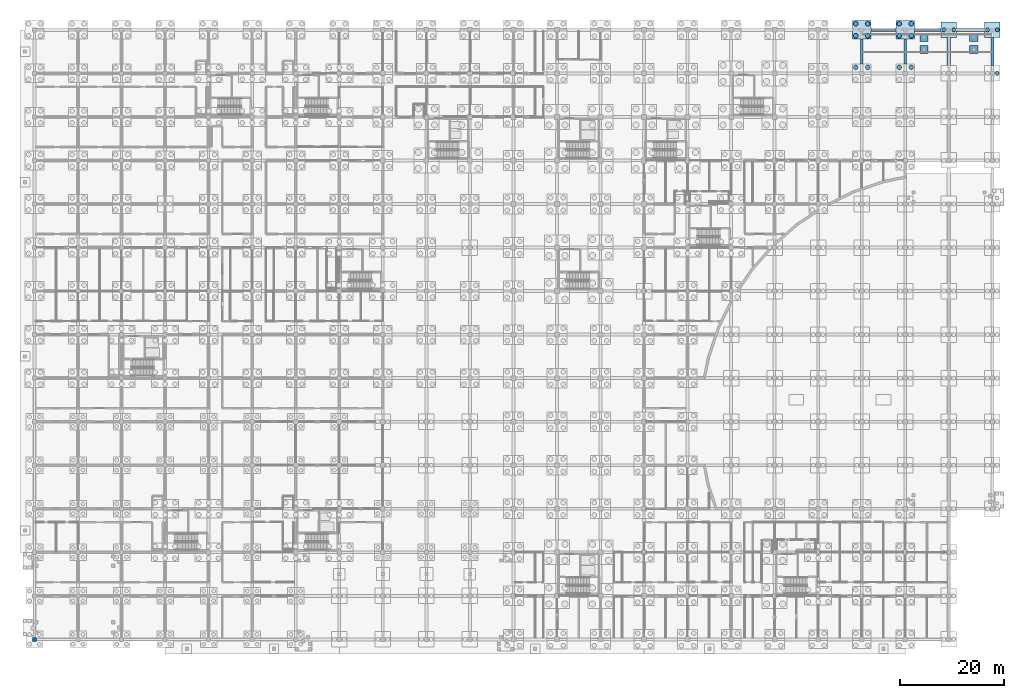
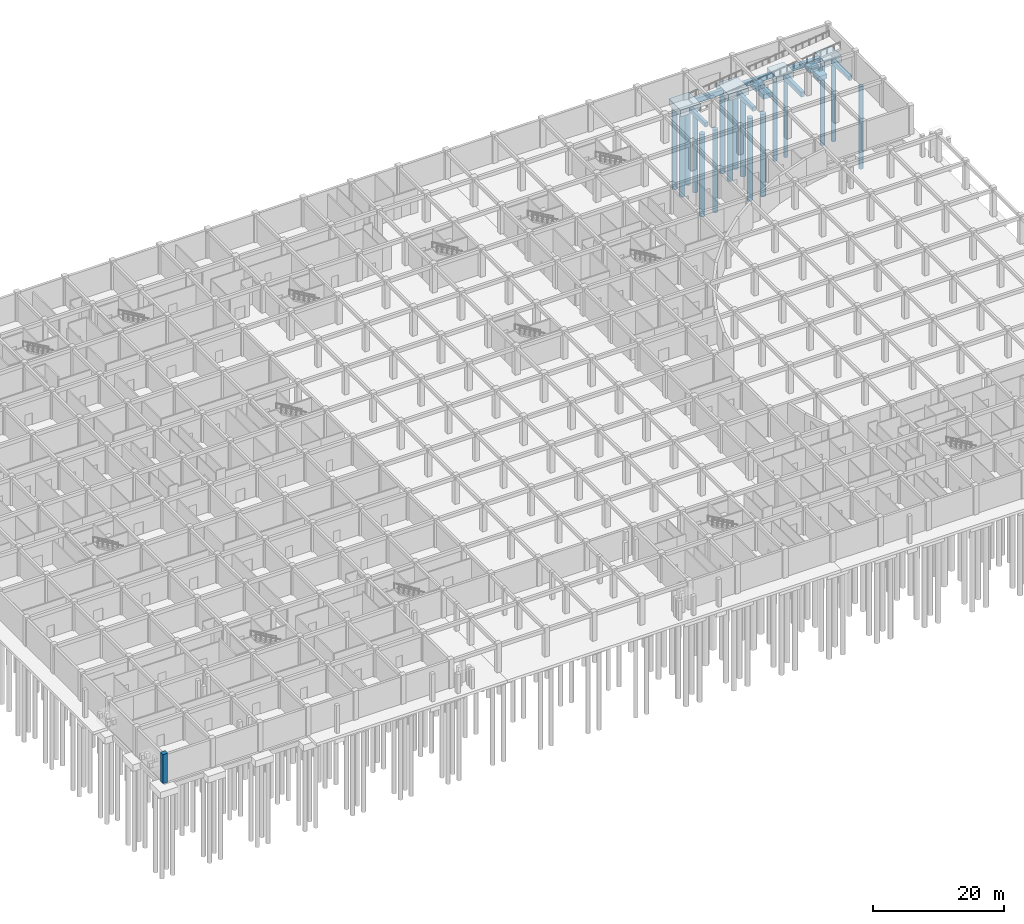
# One storey, part 17 of 65: 17 piles, 15 footings, 1 column.
"""IFC4 building model written with IfcOpenShell, lengths in metres."""

import ifcopenshell
import ifcopenshell.guid

model = None  # the IFC model being written
_history = None  # IfcOwnerHistory: only IFC2X3 demands one
_inside = {}  # id of a spatial element -> (the spatial element, [elements in it])
_under = {}  # id of a project, library or spatial element -> (it, [spatial elements below it])
_declared = {}  # id of a project -> (the project, [libraries it declares])
_typed = {}  # id of a type object -> (the type object, [elements of that type])
_made_of = {}  # id of a material, layer set ... -> (it, [elements and type objects made of it])


def new_model(schema):
    """Start an empty IFC model of exactly this schema.

    Asked for "IFC4X3", IfcOpenShell would pick the latest addendum, in which some entities
    have other attributes; the version numbers below select the first issue.
    IFC2X3 requires an IfcOwnerHistory on every rooted entity: one is made here for all.
    """
    global model, _history
    if schema == "IFC4X3":
        model = ifcopenshell.file(schema_version=(4, 3, 0, 0))
    else:
        model = ifcopenshell.file(schema=schema)
    _inside.clear()
    _under.clear()
    _declared.clear()
    _typed.clear()
    _made_of.clear()
    _history = None
    if model.schema == "IFC2X3":
        org = make("IfcOrganization", Name="unknown")
        user = make(
            "IfcPersonAndOrganization",
            ThePerson=make("IfcPerson", FamilyName="unknown"),
            TheOrganization=org,
        )
        app = make(
            "IfcApplication",
            ApplicationDeveloper=org,
            Version="unknown",
            ApplicationFullName="unknown",
            ApplicationIdentifier="unknown",
        )
        _history = make(
            "IfcOwnerHistory",
            OwningUser=user,
            OwningApplication=app,
            ChangeAction="ADDED",
            CreationDate=0,
        )
    return model


def make(cls, **values):
    """One entity of the class cls with the attributes given. An attribute that is None is left unset."""
    return model.create_entity(
        cls, **{name: value for name, value in values.items() if value is not None}
    )


def rooted(cls, **values):
    """An entity with a GlobalId (a new one), such as an element, a storey or a relation."""
    return make(cls, GlobalId=ifcopenshell.guid.new(), OwnerHistory=_history, **values)


def si_unit(unit_type, name, prefix=None):
    """IfcSIUnit, for example si_unit("LENGTHUNIT", "METRE", prefix="MILLI")."""
    return make("IfcSIUnit", UnitType=unit_type, Prefix=prefix, Name=name)


def assignment(units):
    """IfcUnitAssignment: the units of a project."""
    return None if units is None else make("IfcUnitAssignment", Units=units)


def point(xyz):
    """IfcCartesianPoint."""
    return None if xyz is None else make("IfcCartesianPoint", Coordinates=xyz)


def direction(xyz):
    """IfcDirection."""
    return None if xyz is None else make("IfcDirection", DirectionRatios=xyz)


def frame(location, z_axis=None, x_axis=None):
    """IfcAxis2Placement3D, a coordinate frame: its origin and axes. An axis left out is left unset."""
    return make(
        "IfcAxis2Placement3D",
        Location=point(location),
        Axis=direction(z_axis),
        RefDirection=direction(x_axis),
    )


def frame_2d(location, x_axis=None):
    """IfcAxis2Placement2D, a coordinate frame in the plane: its origin and x axis."""
    return make(
        "IfcAxis2Placement2D", Location=point(location), RefDirection=direction(x_axis)
    )


def origin():
    """The frame at (0, 0, 0) with its axes left unset."""
    return frame((0.0, 0.0, 0.0))


def origin_with_axes():
    """The frame at (0, 0, 0) with the z axis (0, 0, 1) and the x axis (1, 0, 0) written out."""
    return frame((0.0, 0.0, 0.0), z_axis=(0.0, 0.0, 1.0), x_axis=(1.0, 0.0, 0.0))


def origin_2d():
    """The frame at (0, 0) in the plane with its x axis left unset."""
    return frame_2d((0.0, 0.0))


def place(relative_to, where):
    """IfcLocalPlacement: puts the frame where relative to a parent placement (None: the world)."""
    return make(
        "IfcLocalPlacement", PlacementRelTo=relative_to, RelativePlacement=where
    )


def context(
    kind, dimensions, precision=None, world=None, true_north=None, identifier=None
):
    """IfcGeometricRepresentationContext, for example the 3D "Model" context."""
    return make(
        "IfcGeometricRepresentationContext",
        ContextIdentifier=identifier,
        ContextType=kind,
        CoordinateSpaceDimension=dimensions,
        Precision=precision,
        WorldCoordinateSystem=world,
        TrueNorth=true_north,
    )


def subcontext(parent, identifier, kind, view, scale=None):
    """IfcGeometricRepresentationSubContext, for example "Body" below "Model"."""
    return make(
        "IfcGeometricRepresentationSubContext",
        ContextIdentifier=identifier,
        ContextType=kind,
        ParentContext=parent,
        TargetScale=scale,
        TargetView=view,
    )


def project(units=None, contexts=None):
    """IfcProject with its units and contexts."""
    return rooted(
        "IfcProject",
        Name="project",
        RepresentationContexts=contexts,
        UnitsInContext=assignment(units),
    )


def spatial(cls, under=None, at=None, **own):
    """A site, building, storey or space (cls), placed at a placement, below another one or the project."""
    s = rooted(cls, ObjectPlacement=at, **own)
    if under is not None:
        _under.setdefault(under.id(), (under, []))[1].append(s)
    return s


def profile(cls, at=None, kind="AREA", **sizes):
    """A parametric profile (cls). Its sizes go by their IFC names, for example OverallWidth=200.0."""
    return make(cls, ProfileType=kind, Position=at, **sizes)


def rectangle(**sizes):
    """IfcRectangleProfileDef."""
    return profile("IfcRectangleProfileDef", **sizes)


def circle(**sizes):
    """IfcCircleProfileDef."""
    return profile("IfcCircleProfileDef", **sizes)


def extrude(swept, where, along, depth):
    """IfcExtrudedAreaSolid: the profile swept, set in the frame where, extruded along a direction by depth."""
    return make(
        "IfcExtrudedAreaSolid",
        SweptArea=swept,
        Position=where,
        ExtrudedDirection=direction(along),
        Depth=depth,
    )


def shape(context_of_items, identifier, shape_type, items):
    """IfcShapeRepresentation: the items that make up one representation, for example the "Body"."""
    return make(
        "IfcShapeRepresentation",
        ContextOfItems=context_of_items,
        RepresentationIdentifier=identifier,
        RepresentationType=shape_type,
        Items=items,
    )


def material(Name=None, Category=None):
    """IfcMaterial."""
    return make("IfcMaterial", Name=Name, Category=Category)


def material_profile(
    of_material, cross_section, Name=None, Category=None, Priority=None
):
    """IfcMaterialProfile: a cross section and its material."""
    return make(
        "IfcMaterialProfile",
        Name=Name,
        Material=of_material,
        Profile=cross_section,
        Priority=Priority,
        Category=Category,
    )


def profile_set(profiles, Name=None, composite=None):
    """IfcMaterialProfileSet."""
    return make(
        "IfcMaterialProfileSet",
        Name=Name,
        MaterialProfiles=profiles,
        CompositeProfile=composite,
    )


def made_of(thing, what):
    """Note that an element or type object is made of a material, layer set ...; save() writes the relation."""
    if what is not None:
        _made_of.setdefault(what.id(), (what, []))[1].append(thing)
    return thing


def type_object(cls, material=None, **own):
    """A type object (cls), such as IfcWallType, which elements share."""
    return made_of(rooted(cls, **own), material)


def element(
    cls,
    number,
    at=None,
    inside=None,
    cuts=None,
    type_object=None,
    material=None,
    context=None,
    identifier="Body",
    shape_type=None,
    held_by="IfcProductDefinitionShape",
    body=None,
    shapes=None,
    **own,
):
    """One element of the class cls, such as IfcWall. Its Tag is "e" and its number.

    at: its placement. inside: the storey or other place that contains it. cuts: it is an
    opening in that element (IfcRelVoidsElement). A single representation is given by context,
    identifier, shape_type and body (its items); several are given by shapes. held_by: the class
    of the entity that holds the representations. save() writes the other relations.
    """
    e = rooted(cls, Tag="e%d" % number, ObjectPlacement=at, **own)
    if body is not None:
        shapes = [shape(context, identifier, shape_type, body)]
    if shapes is not None:
        e.Representation = make(held_by, Representations=shapes)
    if inside is not None:
        _inside.setdefault(inside.id(), (inside, []))[1].append(e)
    if cuts is not None:
        rooted(
            "IfcRelVoidsElement", RelatingBuildingElement=cuts, RelatedOpeningElement=e
        )
    if type_object is not None:
        _typed.setdefault(type_object.id(), (type_object, []))[1].append(e)
    return made_of(e, material)


def aggregate(whole, parts):
    """IfcRelAggregates: a whole, such as a stair, and the parts it consists of."""
    return rooted("IfcRelAggregates", RelatingObject=whole, RelatedObjects=parts)


def save(model, path):
    """Write the relations noted so far, then the file.

    IfcRelAggregates (storeys below a building ...), IfcRelContainedInSpatialStructure (elements
    in a storey), IfcRelDefinesByType, IfcRelAssociatesMaterial and IfcRelDeclares: one each for
    every whole, place, type object, material and project.
    """
    for whole, parts in _under.values():
        aggregate(whole, parts)
    for where, things in _inside.values():
        rooted(
            "IfcRelContainedInSpatialStructure",
            RelatedElements=things,
            RelatingStructure=where,
        )
    for kind, things in _typed.values():
        rooted("IfcRelDefinesByType", RelatedObjects=things, RelatingType=kind)
    for what, things in _made_of.values():
        rooted("IfcRelAssociatesMaterial", RelatedObjects=things, RelatingMaterial=what)
    for by, libraries in _declared.values():
        rooted("IfcRelDeclares", RelatingContext=by, RelatedDefinitions=libraries)
    model.write(path)


model = new_model("IFC4")

# Units and contexts
model_context = context("Model", 3, precision=1e-05, world=origin(), true_north=direction((0.0, 1.0)))
body_context = subcontext(model_context, "Body", "Model", "MODEL_VIEW")
ifc_project = project(units=[si_unit("LENGTHUNIT", "METRE"), si_unit("AREAUNIT", "SQUARE_METRE"), si_unit("VOLUMEUNIT", "CUBIC_METRE"), si_unit("PLANEANGLEUNIT", "RADIAN"), si_unit("MASSUNIT", "GRAM", prefix="KILO")], contexts=[model_context])

# Site, building, storey
site_placement = place(None, origin())
site = spatial("IfcSite", under=ifc_project, at=site_placement, CompositionType="ELEMENT")
building_placement = place(site_placement, origin())
building = spatial("IfcBuilding", under=site, at=building_placement, Name="Bramfleet General Hospital", CompositionType="ELEMENT")
storey_placement = place(building_placement, frame((0.0, 0.0, -5.39990234375)))
storey = spatial("IfcBuildingStorey", under=building, at=storey_placement, Name="B1", CompositionType="ELEMENT", Elevation=-5.39990234375)

# Footings
ifc_material_1 = material(Name="Concrete C35/45", Category="concrete")
ifc_material_profile_1 = material_profile(ifc_material_1, rectangle(XDim=0.550048828125, YDim=0.800048828125, at=origin_2d()), Name="RC FB 800x550")
ifc_profile_set_1 = profile_set([ifc_material_profile_1], Name="Concrete C35/45")
footing_type_1 = type_object("IfcFootingType", Name="FTG-FB-01", PredefinedType="FOOTING_BEAM", material=ifc_profile_set_1)
for number, where, z_axis, x_axis, name in (
    (1, (159.60009765625, 111.0, -0.900146484375), (0.0, 1.0, 0.0), (-1.0, 0.0, 0.0), "Foundation Tie Beam Y 19-13"),
    (2, (168.0, 111.0, -0.900146484375), (0.0, 1.0, 0.0), (-1.0, 0.0, 0.0), "Foundation Tie Beam Y 20-13"),
):
    element("IfcFooting", number, at=place(storey_placement, frame(where, z_axis=z_axis, x_axis=x_axis)), inside=storey, type_object=footing_type_1, Name=name, PredefinedType="FOOTING_BEAM", context=body_context, shape_type="SweptSolid", body=[
        extrude(rectangle(XDim=0.550048828125, YDim=0.800048828125, at=origin_2d()), origin(), (0.0, 0.0, 1.0), 4.800048828125),
    ])
footing_1_placement = place(storey_placement, frame((184.800048828125, 110.699951171875, -0.900146484375), z_axis=(0.0, 1.0, 0.0), x_axis=(-1.0, 0.0, 0.0)))
element("IfcFooting", 3, at=footing_1_placement, inside=storey, type_object=footing_type_1, Name="Foundation Tie Beam Y 22-13", PredefinedType="FOOTING_BEAM", context=body_context, shape_type="SweptSolid", body=[
    extrude(rectangle(XDim=0.550048828125, YDim=0.800048828125, at=origin_2d()), origin(), (0.0, 0.0, 1.0), 5.400146484375),
])
ifc_material_profile_2 = material_profile(ifc_material_1, rectangle(XDim=0.60009765625, YDim=0.89990234375, at=origin_2d()), Name="RC FB 900x600")
ifc_profile_set_2 = profile_set([ifc_material_profile_2], Name="Concrete C35/45")
footing_type_2 = type_object("IfcFootingType", Name="FTG-FB-02", PredefinedType="FOOTING_BEAM", material=ifc_profile_set_2)
footing_2_placement = place(storey_placement, frame((161.39990234375, 117.60009765625, -0.9501953125), z_axis=(1.0, 0.0, 0.0), x_axis=(0.0, 1.0, 0.0)))
element("IfcFooting", 4, at=footing_2_placement, inside=storey, type_object=footing_type_2, Name="Foundation Tie Beam X 19-14", PredefinedType="FOOTING_BEAM", context=body_context, shape_type="SweptSolid", body=[
    extrude(rectangle(XDim=0.60009765625, YDim=0.89990234375, at=origin_2d()), origin(), (0.0, 0.0, 1.0), 4.800048828125),
])
footing_3_placement = place(storey_placement, frame((169.800048828125, 117.60009765625, -0.9501953125), z_axis=(1.0, 0.0, 0.0), x_axis=(0.0, 1.0, 0.0)))
element("IfcFooting", 5, at=footing_3_placement, inside=storey, type_object=footing_type_2, Name="Foundation Tie Beam X 20-14", PredefinedType="FOOTING_BEAM", context=body_context, shape_type="SweptSolid", body=[
    extrude(rectangle(XDim=0.60009765625, YDim=0.89990234375, at=origin_2d()), origin(), (0.0, 0.0, 1.0), 5.099853515625),
])
for number, where, z_axis, x_axis, name in (
    (6, (176.39990234375, 110.699951171875, -0.9501953125), (0.0, 1.0, 0.0), (-1.0, 0.0, 0.0), "Foundation Tie Beam Y 21-13"),
    (7, (177.89990234375, 117.60009765625, -0.9501953125), (1.0, 0.0, 0.0), (0.0, 1.0, 0.0), "Foundation Tie Beam X 21-14"),
):
    element("IfcFooting", number, at=place(storey_placement, frame(where, z_axis=z_axis, x_axis=x_axis)), inside=storey, type_object=footing_type_2, Name=name, PredefinedType="FOOTING_BEAM", context=body_context, shape_type="SweptSolid", body=[
        extrude(rectangle(XDim=0.60009765625, YDim=0.89990234375, at=origin_2d()), origin(), (0.0, 0.0, 1.0), 5.400146484375),
    ])
footing_type_3 = type_object("IfcFootingType", Name="FTG-PC-01", PredefinedType="PILE_CAP", material=ifc_material_1)
for number, where, z_axis, x_axis, name in (
    (8, (176.39990234375, 117.60009765625, -1.7001953125), (0.0, 0.0, 1.0), (1.0, 0.0, 0.0), "Pile Cap FTG-B1-21-14"),
    (9, (184.800048828125, 117.60009765625, -1.7001953125), (0.0, 0.0, 1.0), (1.0, 0.0, 0.0), "Pile Cap FTG-B1-22-14"),
):
    element("IfcFooting", number, at=place(storey_placement, frame(where, z_axis=z_axis, x_axis=x_axis)), inside=storey, type_object=footing_type_3, Name=name, PredefinedType="PILE_CAP", context=body_context, shape_type="SweptSolid", body=[
        extrude(rectangle(XDim=3.0, YDim=3.0, at=origin_2d()), origin(), (0.0, 0.0, 1.0), 1.199951171875),
    ])
footing_type_4 = type_object("IfcFootingType", Name="FTG-PC-03", PredefinedType="PILE_CAP", material=ifc_material_1)
for number, where, z_axis, x_axis, name in (
    (10, (159.60009765625, 117.60009765625, -1.7001953125), (0.0, 0.0, 1.0), (1.0, 0.0, 0.0), "Pile Cap FTG-B1-19-14"),
    (11, (168.0, 117.60009765625, -1.7001953125), (0.0, 0.0, 1.0), (1.0, 0.0, 0.0), "Pile Cap FTG-B1-20-14"),
):
    element("IfcFooting", number, at=place(storey_placement, frame(where, z_axis=z_axis, x_axis=x_axis)), inside=storey, type_object=footing_type_4, Name=name, PredefinedType="PILE_CAP", context=body_context, shape_type="SweptSolid", body=[
        extrude(rectangle(XDim=3.60009765625, YDim=3.60009765625, at=origin_2d()), origin(), (0.0, 0.0, 1.0), 1.199951171875),
    ])
footing_type_5 = type_object("IfcFootingType", Name="FTG-PF-01", PredefinedType="PAD_FOOTING", material=ifc_material_1)
for number, where, z_axis, x_axis, name in (
    (12, (171.60009765625, 113.800048828125, -1.35009765625), (0.0, 0.0, 1.0), (1.0, 0.0, 0.0), "Vehicle Ramp Support Pad Footing 1.1"),
    (13, (171.60009765625, 116.199951171875, -1.35009765625), (0.0, 0.0, 1.0), (1.0, 0.0, 0.0), "Vehicle Ramp Support Pad Footing 1.2"),
    (14, (181.199951171875, 113.800048828125, -1.35009765625), (0.0, 0.0, 1.0), (1.0, 0.0, 0.0), "Vehicle Ramp Support Pad Footing 2.1"),
    (15, (181.199951171875, 116.199951171875, -1.35009765625), (0.0, 0.0, 1.0), (1.0, 0.0, 0.0), "Vehicle Ramp Support Pad Footing 2.2"),
):
    element("IfcFooting", number, at=place(storey_placement, frame(where, z_axis=z_axis, x_axis=x_axis)), inside=storey, type_object=footing_type_5, Name=name, PredefinedType="PAD_FOOTING", context=body_context, shape_type="SweptSolid", body=[
        extrude(rectangle(XDim=1.60009765625, YDim=1.60009765625, at=origin_2d()), origin(), (0.0, 0.0, 1.0), 0.85009765625),
    ])

# Piles
ifc_material_profile_3 = material_profile(ifc_material_1, circle(Radius=0.375, at=origin_2d()), Name="PILE BORED D750")
ifc_profile_set_3 = profile_set([ifc_material_profile_3], Name="Concrete C35/45")
pile_type_1 = type_object("IfcPileType", Name="PILE-D750", PredefinedType="BORED", material=ifc_profile_set_3)
for number, where, z_axis, x_axis, name in (
    (16, (175.449951171875, 117.60009765625, -1.60009765625), (0.0, 0.0, -1.0), (1.0, 0.0, 0.0), "Bored Pile PILE-B1-21-14-1"),
    (17, (177.35009765625, 117.60009765625, -1.60009765625), (0.0, 0.0, -1.0), (1.0, 0.0, 0.0), "Bored Pile PILE-B1-21-14-2"),
    (18, (185.75, 109.199951171875, -1.60009765625), (0.0, 0.0, -1.0), (1.0, 0.0, 0.0), "Bored Pile PILE-B1-22-13-2"),
    (19, (183.85009765625, 117.60009765625, -1.60009765625), (0.0, 0.0, -1.0), (1.0, 0.0, 0.0), "Bored Pile PILE-B1-22-14-1"),
    (20, (185.75, 117.60009765625, -1.60009765625), (0.0, 0.0, -1.0), (1.0, 0.0, 0.0), "Bored Pile PILE-B1-22-14-2"),
):
    element("IfcPile", number, at=place(storey_placement, frame(where, z_axis=z_axis, x_axis=x_axis)), inside=storey, type_object=pile_type_1, Name=name, PredefinedType="BORED", context=body_context, shape_type="SweptSolid", body=[
        extrude(circle(Radius=0.375, at=origin_2d()), origin(), (0.0, 0.0, 1.0), 15.39990234375),
    ])
ifc_material_profile_4 = material_profile(ifc_material_1, circle(Radius=0.449951171875, at=origin_2d()), Name="PILE BORED D900")
ifc_profile_set_4 = profile_set([ifc_material_profile_4], Name="Concrete C35/45")
pile_type_2 = type_object("IfcPileType", Name="PILE-D900", PredefinedType="BORED", material=ifc_profile_set_4)
for number, where, z_axis, x_axis, name in (
    (21, (158.449951171875, 110.35009765625, -1.60009765625), (0.0, 0.0, -1.0), (1.0, 0.0, 0.0), "Bored Pile PILE-B1-19-13-3"),
    (22, (160.75, 110.35009765625, -1.60009765625), (0.0, 0.0, -1.0), (1.0, 0.0, 0.0), "Bored Pile PILE-B1-19-13-4"),
    (23, (158.449951171875, 116.449951171875, -1.60009765625), (0.0, 0.0, -1.0), (1.0, 0.0, 0.0), "Bored Pile PILE-B1-19-14-1"),
    (24, (160.75, 116.449951171875, -1.60009765625), (0.0, 0.0, -1.0), (1.0, 0.0, 0.0), "Bored Pile PILE-B1-19-14-2"),
    (25, (158.449951171875, 118.75, -1.60009765625), (0.0, 0.0, -1.0), (1.0, 0.0, 0.0), "Bored Pile PILE-B1-19-14-3"),
    (26, (160.75, 118.75, -1.60009765625), (0.0, 0.0, -1.0), (1.0, 0.0, 0.0), "Bored Pile PILE-B1-19-14-4"),
    (27, (166.85009765625, 110.35009765625, -1.60009765625), (0.0, 0.0, -1.0), (1.0, 0.0, 0.0), "Bored Pile PILE-B1-20-13-3"),
    (28, (169.14990234375, 110.35009765625, -1.60009765625), (0.0, 0.0, -1.0), (1.0, 0.0, 0.0), "Bored Pile PILE-B1-20-13-4"),
    (29, (166.85009765625, 116.449951171875, -1.60009765625), (0.0, 0.0, -1.0), (1.0, 0.0, 0.0), "Bored Pile PILE-B1-20-14-1"),
    (30, (169.14990234375, 116.449951171875, -1.60009765625), (0.0, 0.0, -1.0), (1.0, 0.0, 0.0), "Bored Pile PILE-B1-20-14-2"),
    (31, (166.85009765625, 118.75, -1.60009765625), (0.0, 0.0, -1.0), (1.0, 0.0, 0.0), "Bored Pile PILE-B1-20-14-3"),
    (32, (169.14990234375, 118.75, -1.60009765625), (0.0, 0.0, -1.0), (1.0, 0.0, 0.0), "Bored Pile PILE-B1-20-14-4"),
):
    element("IfcPile", number, at=place(storey_placement, frame(where, z_axis=z_axis, x_axis=x_axis)), inside=storey, type_object=pile_type_2, Name=name, PredefinedType="BORED", context=body_context, shape_type="SweptSolid", body=[
        extrude(circle(Radius=0.449951171875, at=origin_2d()), origin(), (0.0, 0.0, 1.0), 15.39990234375),
    ])

# Column
ifc_material_2 = material(Name="Concrete C40/50", Category="concrete")
ifc_material_profile_5 = material_profile(ifc_material_2, rectangle(XDim=0.800048828125, YDim=0.800048828125, at=origin_2d()), Name="RC COL 800x800")
ifc_profile_set_5 = profile_set([ifc_material_profile_5], Name="Concrete C40/50")
column_type = type_object("IfcColumnType", Name="COL-RC800", PredefinedType="COLUMN", material=ifc_profile_set_5)
column_placement = place(storey_placement, origin_with_axes())
element("IfcColumn", 33, at=column_placement, inside=storey, type_object=column_type, Name="Column COL-B1-00-00", PredefinedType="COLUMN", context=body_context, shape_type="SweptSolid", body=[
    extrude(rectangle(XDim=0.800048828125, YDim=0.800048828125, at=origin_2d()), origin(), (0.0, 0.0, 1.0), 5.39990234375),
])

save(model, "model.ifc")
